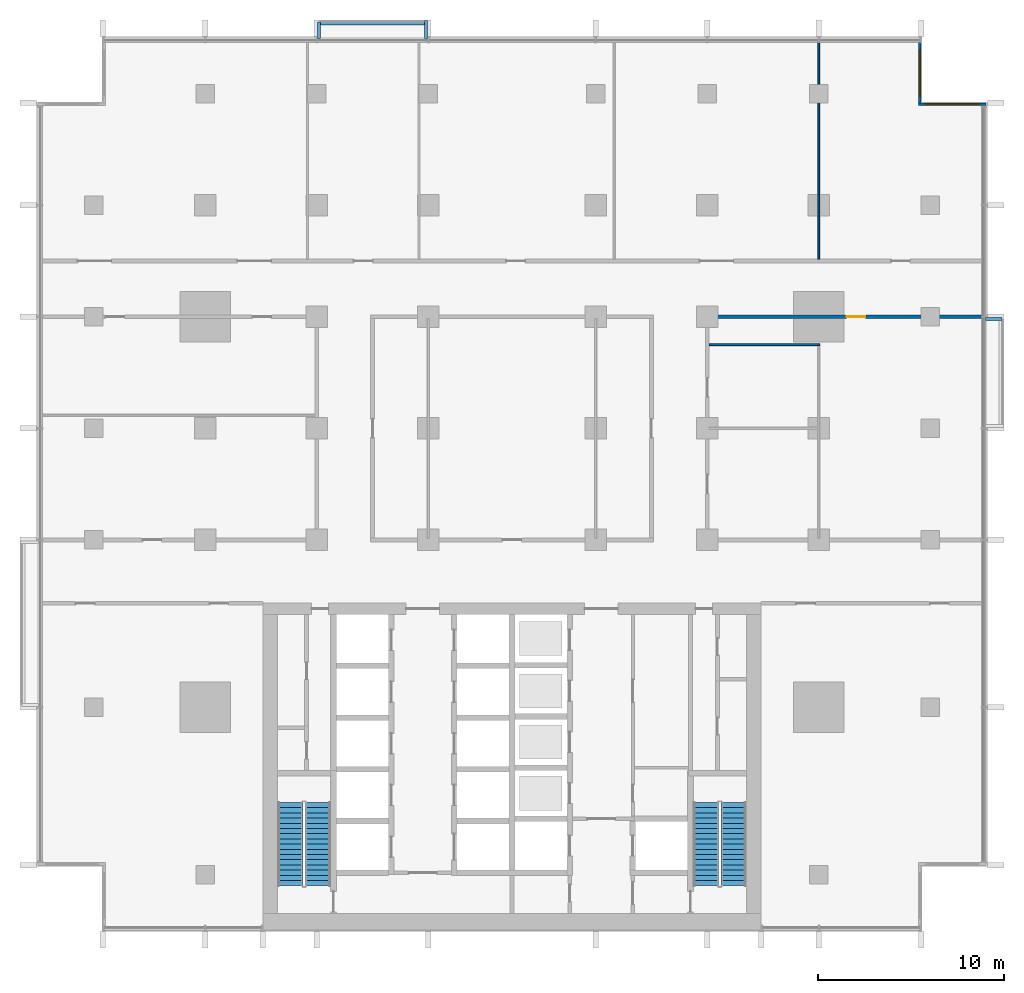
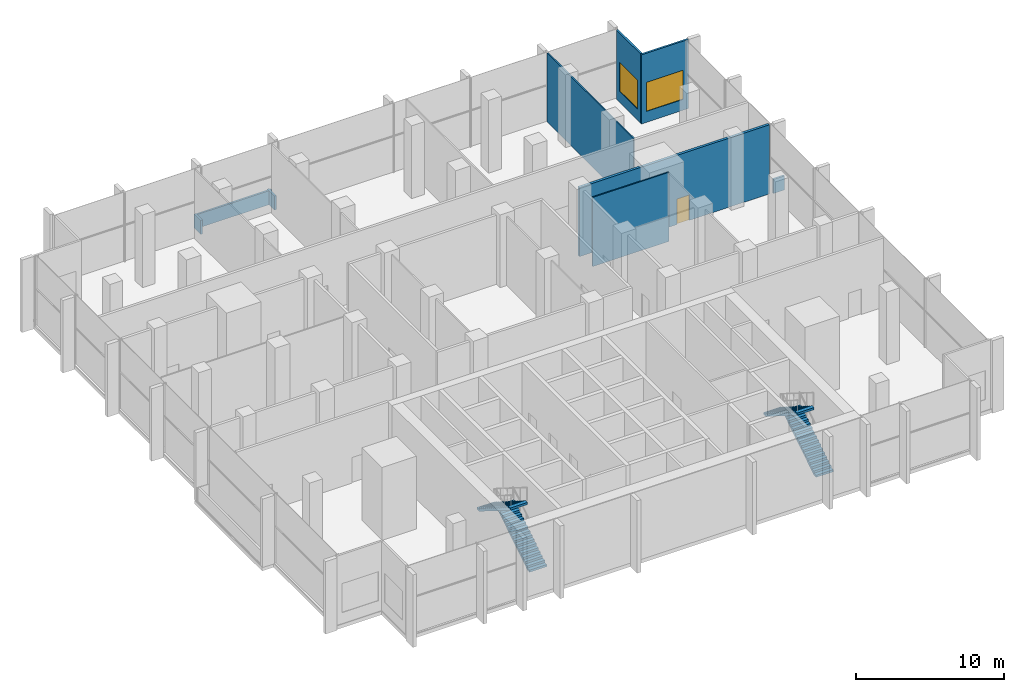
# One storey, part 10 of 16: 9 walls, 4 stair flights, 2 windows, 1 door, 3 openings, 2 elements without a shape of their own.
"""IFC4 building model written with IfcOpenShell, lengths in metres."""

from ifc_helpers import new_model, si_unit, direction, frame, frame_2d, origin, place, context, subcontext, project, spatial, polyline, rectangle, outline, extrude, material, layer, layer_set, type_object, element, fill, aggregate, save


model = new_model("IFC4")

# Units and contexts
model_context = context("Model", 3, precision=1e-05, world=origin(), true_north=direction((0.0, 1.0)))
body_context = subcontext(model_context, "Body", "Model", "MODEL_VIEW")
ifc_project = project(units=[si_unit("LENGTHUNIT", "METRE"), si_unit("AREAUNIT", "SQUARE_METRE"), si_unit("VOLUMEUNIT", "CUBIC_METRE"), si_unit("PLANEANGLEUNIT", "RADIAN"), si_unit("MASSUNIT", "GRAM", prefix="KILO")], contexts=[model_context])

# Site, building, storey
site_placement = place(None, origin())
site = spatial("IfcSite", under=ifc_project, at=site_placement, CompositionType="ELEMENT")
building_placement = place(site_placement, origin())
building = spatial("IfcBuilding", under=site, at=building_placement, Name="Finial Court Residences", CompositionType="ELEMENT")
storey_placement = place(building_placement, frame((0.0, 0.0, 127.89990234375)))
storey = spatial("IfcBuildingStorey", under=building, at=storey_placement, Name="L32", CompositionType="ELEMENT", Elevation=127.89990234375)

# Wall, opening, door
ifc_material_1 = material(Name="Gypsum board")
ifc_layer_1 = layer(ifc_material_1, 0.02490234375)
ifc_material_2 = material(Name="Acoustic mineral wool in double frame")
ifc_layer_2 = layer(ifc_material_2, 0.14990234375)
ifc_layer_3 = layer(ifc_material_1, 0.02490234375)
ifc_layer_set_1 = layer_set([ifc_layer_1, ifc_layer_2, ifc_layer_3], Name="Corridor wall 200, 1 hour")
wall_type_1 = type_object("IfcWallType", Name="Corridor wall 200, 1 hour", PredefinedType="PARTITIONING", material=ifc_layer_set_1)
wall_1_placement = place(storey_placement, frame((10.39990234375, 7.5, 0.0), z_axis=(0.0, 0.0, 1.0), x_axis=(1.0, 0.0, 0.0)))
wall_1 = element("IfcWall", 1, at=wall_1_placement, inside=storey, type_object=wall_type_1, Name="Partition L32-010", PredefinedType="PARTITIONING", context=body_context, shape_type="SweptSolid", body=[
    extrude(rectangle(XDim=14.837646484375, YDim=0.199951171875, at=frame_2d((7.4189453125, 0.0))), origin(), (0.0, 0.0, 1.0), 5.7001953125),
])
opening_1_placement = place(wall_1_placement, frame((7.60009765625, 0.0, 0.0)))
opening_1 = element("IfcOpeningElement", 2, at=opening_1_placement, cuts=wall_1, Name="Opening L32-D009", PredefinedType="OPENING", context=body_context, shape_type="SweptSolid", body=[
    extrude(rectangle(XDim=1.0, YDim=2.10009765625, at=frame_2d((0.5, 1.050048828125))), frame((0.0, 0.10986328125, 0.0), z_axis=(0.0, -1.0, 0.0), x_axis=(1.0, 0.0, 0.0)), (0.0, 0.0, 1.0), 0.219970703125),
])
ifc_material_3 = material(Name="Timber door leaf in hollow metal frame", Category="wood")
door_type = type_object("IfcDoorType", Name="Fire door set 1000 x 2100, 30 minutes", OperationType="SINGLE_SWING_LEFT", PredefinedType="DOOR", material=ifc_material_3)
door_placement = place(opening_1_placement, origin())
door = element("IfcDoor", 3, at=door_placement, inside=storey, type_object=door_type, Name="Door L32-D009", OperationType="SINGLE_SWING_RIGHT", OverallHeight=2.10009765625, OverallWidth=1.0, PredefinedType="DOOR", context=body_context, shape_type="SweptSolid", body=[
    extrude(rectangle(XDim=1.0, YDim=2.10009765625, at=frame_2d((0.5, 1.050048828125))), frame((0.0, 0.02490234375, 0.0), z_axis=(0.0, -1.0, 0.0), x_axis=(1.0, 0.0, 0.0)), (0.0, 0.0, 1.0), 0.050048828125),
])
fill(opening_1, door)

# Walls
ifc_layer_4 = layer(ifc_material_1, 0.012451171875)
ifc_material_4 = material(Name="Mineral wool in light-gauge frame")
ifc_layer_5 = layer(ifc_material_4, 0.074951171875)
ifc_layer_6 = layer(ifc_material_1, 0.012451171875)
ifc_layer_set_2 = layer_set([ifc_layer_4, ifc_layer_5, ifc_layer_6], Name="Gypsum board partition 100")
wall_type_2 = type_object("IfcWallType", Name="Gypsum board partition 100", PredefinedType="PARTITIONING", material=ifc_layer_set_2)
wall_2_placement = place(storey_placement, frame((10.60009765625, 6.0, 0.0), z_axis=(0.0, 0.0, 1.0), x_axis=(1.0, 0.0, 0.0)))
element("IfcWall", 4, at=wall_2_placement, inside=storey, type_object=wall_type_2, Name="Partition L32-007", PredefinedType="PARTITIONING", context=body_context, shape_type="SweptSolid", body=[
    extrude(rectangle(XDim=5.949951171875, YDim=0.10009765625, at=frame_2d((2.97509765625, 0.0))), origin(), (0.0, 0.0, 1.0), 5.7001953125),
])
wall_3_placement = place(storey_placement, frame((16.5, 10.60009765625, 0.0), z_axis=(0.0, 0.0, 1.0), x_axis=(0.0, 1.0, 0.0)))
element("IfcWall", 5, at=wall_3_placement, inside=storey, type_object=wall_type_2, Name="Partition L32-022", PredefinedType="PARTITIONING", context=body_context, shape_type="SweptSolid", body=[
    extrude(rectangle(XDim=11.637451171875, YDim=0.10009765625, at=frame_2d((5.81884765625, 0.0))), origin(), (0.0, 0.0, 1.0), 5.7001953125),
])
ifc_material_5 = material(Name="Concrete C35/45", Category="concrete")
ifc_layer_7 = layer(ifc_material_5, 0.14990234375)
ifc_layer_set_3 = layer_set([ifc_layer_7], Name="Ledge parapet, Concrete C35/45 150")
wall_type_3 = type_object("IfcWallType", Name="Ledge parapet, Concrete C35/45 150", PredefinedType="PARAPET", material=ifc_layer_set_3)
wall_4_placement = place(storey_placement, frame((-4.625, 23.4375, 0.0), z_axis=(0.0, 0.0, 1.0), x_axis=(0.0, -1.0, 0.0)))
element("IfcWall", 6, at=wall_4_placement, inside=storey, type_object=wall_type_3, Name="E-L32-LED1-P1", PredefinedType="PARAPET", context=body_context, shape_type="SweptSolid", body=[
    extrude(rectangle(XDim=0.965087890625, YDim=0.14990234375, at=frame_2d((0.482421875, 0.0))), origin(), (0.0, 0.0, 1.0), 1.150146484375),
])
wall_5_placement = place(storey_placement, frame((-10.375, 22.472412109375, 0.0), z_axis=(0.0, 0.0, 1.0), x_axis=(0.0, 1.0, 0.0)))
element("IfcWall", 7, at=wall_5_placement, inside=storey, type_object=wall_type_3, Name="E-L32-LED1-P2", PredefinedType="PARAPET", context=body_context, shape_type="SweptSolid", body=[
    extrude(rectangle(XDim=0.877685546875, YDim=0.14990234375, at=frame_2d((0.43896484375, 0.0))), origin(), (0.0, 0.0, 1.0), 1.150146484375),
])
wall_6_placement = place(storey_placement, frame((-10.300048828125, 23.27490234375, 0.0), z_axis=(0.0, 0.0, 1.0), x_axis=(1.0, 0.0, 0.0)))
element("IfcWall", 8, at=wall_6_placement, inside=storey, type_object=wall_type_3, Name="E-L32-LED1-P3", PredefinedType="PARAPET", context=body_context, shape_type="SweptSolid", body=[
    extrude(rectangle(XDim=5.837646484375, YDim=0.14990234375, at=frame_2d((2.9189453125, 0.0))), origin(), (0.0, 0.0, 1.0), 1.150146484375),
])
wall_7_placement = place(storey_placement, frame((25.472412109375, 7.375, 0.0), z_axis=(0.0, 0.0, 1.0), x_axis=(1.0, 0.0, 0.0)))
element("IfcWall", 9, at=wall_7_placement, inside=storey, type_object=wall_type_3, Name="E-L32-LED2-P2", PredefinedType="PARAPET", context=body_context, shape_type="SweptSolid", body=[
    extrude(rectangle(XDim=0.877685546875, YDim=0.14990234375, at=frame_2d((0.43896484375, 0.0))), origin(), (0.0, 0.0, 1.0), 1.150146484375),
])

# Wall, opening, window
ifc_material_6 = material(Name="Natural limestone", Category="masonry")
ifc_layer_8 = layer(ifc_material_6, 0.14990234375)
ifc_layer_set_4 = layer_set([ifc_layer_8], Name="Limestone clad wall 150")
wall_type_4 = type_object("IfcWallType", Name="Limestone clad wall 150", PredefinedType="SOLIDWALL", material=ifc_layer_set_4)
wall_8_placement = place(storey_placement, frame((21.925048828125, 22.237548828125, 0.0), z_axis=(0.0, 0.0, 1.0), x_axis=(0.0, -1.0, 0.0)))
wall_8 = element("IfcWall", 10, at=wall_8_placement, inside=storey, type_object=wall_type_4, Name="E-L32-NWE12", PredefinedType="SOLIDWALL", context=body_context, shape_type="SweptSolid", body=[
    extrude(rectangle(XDim=3.237548828125, YDim=0.14990234375, at=frame_2d((1.61865234375, 0.0))), origin(), (0.0, 0.0, 1.0), 5.7001953125),
])
opening_2_placement = place(wall_8_placement, frame((0.398681640625, 0.0, 0.89990234375)))
opening_2 = element("IfcOpeningElement", 11, at=opening_2_placement, cuts=wall_8, Name="Opening WE32-07", PredefinedType="OPENING", context=body_context, shape_type="SweptSolid", body=[
    extrude(rectangle(XDim=2.43994140625, YDim=2.39990234375, at=frame_2d((1.219970703125, 1.199951171875))), frame((0.0, 0.0849609375, 0.0), z_axis=(0.0, -1.0, 0.0), x_axis=(1.0, 0.0, 0.0)), (0.0, 0.0, 1.0), 0.169921875),
])
ifc_material_7 = material(Name="Clear low-e glass", Category="glass")
window_type_1 = type_object("IfcWindowType", Name="Corner window 2440 x 2400", PartitioningType="SINGLE_PANEL", PredefinedType="WINDOW", material=ifc_material_7)
window_1_placement = place(opening_2_placement, origin())
window_1 = element("IfcWindow", 12, at=window_1_placement, inside=storey, type_object=window_type_1, Name="E-L32-NWE12-W1", OverallHeight=2.39990234375, OverallWidth=2.43994140625, PartitioningType="SINGLE_PANEL", PredefinedType="WINDOW", context=body_context, shape_type="SweptSolid", body=[
    extrude(rectangle(XDim=2.43994140625, YDim=2.39990234375, at=frame_2d((1.219970703125, 1.199951171875))), frame((0.0, 0.030029296875, 0.0), z_axis=(0.0, -1.0, 0.0), x_axis=(1.0, 0.0, 0.0)), (0.0, 0.0, 1.0), 0.06005859375),
])
fill(opening_2, window_1)

wall_9_placement = place(storey_placement, frame((21.85009765625, 18.925048828125, 0.0), z_axis=(0.0, 0.0, 1.0), x_axis=(1.0, 0.0, 0.0)))
wall_9 = element("IfcWall", 13, at=wall_9_placement, inside=storey, type_object=wall_type_4, Name="E-L32-NWN13", PredefinedType="SOLIDWALL", context=body_context, shape_type="SweptSolid", body=[
    extrude(rectangle(XDim=3.64990234375, YDim=0.14990234375, at=frame_2d((1.824951171875, 0.0))), origin(), (0.0, 0.0, 1.0), 5.7001953125),
])
opening_3_placement = place(wall_9_placement, frame((0.39990234375, 0.0, 0.89990234375)))
opening_3 = element("IfcOpeningElement", 14, at=opening_3_placement, cuts=wall_9, Name="Opening WE32-08", PredefinedType="OPENING", context=body_context, shape_type="SweptSolid", body=[
    extrude(rectangle(XDim=2.85009765625, YDim=2.39990234375, at=frame_2d((1.425048828125, 1.199951171875))), frame((0.0, 0.0849609375, 0.0), z_axis=(0.0, -1.0, 0.0), x_axis=(1.0, 0.0, 0.0)), (0.0, 0.0, 1.0), 0.169921875),
])
window_type_2 = type_object("IfcWindowType", Name="Corner window 2850 x 2400", PartitioningType="SINGLE_PANEL", PredefinedType="WINDOW", material=ifc_material_7)
window_2_placement = place(opening_3_placement, origin())
window_2 = element("IfcWindow", 15, at=window_2_placement, inside=storey, type_object=window_type_2, Name="E-L32-NWN13-W1", OverallHeight=2.39990234375, OverallWidth=2.85009765625, PartitioningType="SINGLE_PANEL", PredefinedType="WINDOW", context=body_context, shape_type="SweptSolid", body=[
    extrude(rectangle(XDim=2.85009765625, YDim=2.39990234375, at=frame_2d((1.425048828125, 1.199951171875))), frame((0.0, 0.030029296875, 0.0), z_axis=(0.0, -1.0, 0.0), x_axis=(1.0, 0.0, 0.0)), (0.0, 0.0, 1.0), 0.06005859375),
])
fill(opening_3, window_2)

# Stair, stair flights
ifc_material_8 = material(Name="Concrete C50/60", Category="concrete")
stair_type = type_object("IfcStairType", Name="Exit stair 34 risers of 176.5 mm", PredefinedType="HALF_TURN_STAIR", material=ifc_material_8)
stair_1_placement = place(storey_placement, origin())
stair_1 = element("IfcStair", 16, at=stair_1_placement, inside=storey, type_object=stair_type, Name="L32 Exit stair ST-1", PredefinedType="HALF_TURN_STAIR")
stair_flight_type = type_object("IfcStairFlightType", Name="Exit stair flight", PredefinedType="STRAIGHT", material=ifc_material_8)
stair_flight_1_placement = place(storey_placement, frame((-10.425048828125, -23.10009765625, 0.0), z_axis=(0.0, 0.0, 1.0), x_axis=(0.0, 1.0, 0.0)))
stair_flight_1 = element("IfcStairFlight", 17, at=stair_flight_1_placement, type_object=stair_flight_type, Name="ST-1 flight 1", NumberOfRisers=17, NumberOfTreads=16, PredefinedType="STRAIGHT", RiserHeight=0.176470588, TreadLength=0.28, context=body_context, shape_type="SweptSolid", body=[
    extrude(outline(polyline([(0.0, 0.0), (0.0, 0.176513671875), (0.280029296875, 0.176513671875), (0.280029296875, 0.35302734375), (0.56005859375, 0.35302734375), (0.56005859375, 0.529296875), (0.840087890625, 0.529296875), (0.840087890625, 0.705810546875), (1.1201171875, 0.705810546875), (1.1201171875, 0.88232421875), (1.39990234375, 0.88232421875), (1.39990234375, 1.058837890625), (1.679931640625, 1.058837890625), (1.679931640625, 1.2353515625), (1.9599609375, 1.2353515625), (1.9599609375, 1.411865234375), (2.239990234375, 1.411865234375), (2.239990234375, 1.588134765625), (2.52001953125, 1.588134765625), (2.52001953125, 1.7646484375), (2.800048828125, 1.7646484375), (2.800048828125, 1.941162109375), (3.080078125, 1.941162109375), (3.080078125, 2.11767578125), (3.360107421875, 2.11767578125), (3.360107421875, 2.294189453125), (3.639892578125, 2.294189453125), (3.639892578125, 2.470703125), (3.919921875, 2.470703125), (3.919921875, 2.64697265625), (4.199951171875, 2.64697265625), (4.199951171875, 2.823486328125), (4.47998046875, 2.823486328125), (4.47998046875, 3.0), (4.47998046875, 2.646240234375), (0.28125, 0.0), (0.0, 0.0)])), frame((0.0, 0.675048828125, 0.0), z_axis=(0.0, -1.0, 0.0), x_axis=(1.0, 0.0, 0.0)), (0.0, 0.0, 1.0), 1.35009765625),
])
stair_flight_2_placement = place(storey_placement, frame((-11.925048828125, -18.6201171875, 3.0), z_axis=(0.0, 0.0, 1.0), x_axis=(0.0, -1.0, 0.0)))
stair_flight_2 = element("IfcStairFlight", 18, at=stair_flight_2_placement, type_object=stair_flight_type, Name="ST-1 flight 2", NumberOfRisers=17, NumberOfTreads=16, PredefinedType="STRAIGHT", RiserHeight=0.176470588, TreadLength=0.28, context=body_context, shape_type="SweptSolid", body=[
    extrude(outline(polyline([(0.0, 0.0), (0.0, 0.176513671875), (0.280029296875, 0.176513671875), (0.280029296875, 0.35302734375), (0.56005859375, 0.35302734375), (0.56005859375, 0.529296875), (0.840087890625, 0.529296875), (0.840087890625, 0.705810546875), (1.1201171875, 0.705810546875), (1.1201171875, 0.88232421875), (1.39990234375, 0.88232421875), (1.39990234375, 1.058837890625), (1.679931640625, 1.058837890625), (1.679931640625, 1.2353515625), (1.9599609375, 1.2353515625), (1.9599609375, 1.411865234375), (2.239990234375, 1.411865234375), (2.239990234375, 1.588134765625), (2.52001953125, 1.588134765625), (2.52001953125, 1.7646484375), (2.800048828125, 1.7646484375), (2.800048828125, 1.941162109375), (3.080078125, 1.941162109375), (3.080078125, 2.11767578125), (3.360107421875, 2.11767578125), (3.360107421875, 2.294189453125), (3.639892578125, 2.294189453125), (3.639892578125, 2.470703125), (3.919921875, 2.470703125), (3.919921875, 2.64697265625), (4.199951171875, 2.64697265625), (4.199951171875, 2.823486328125), (4.47998046875, 2.823486328125), (4.47998046875, 3.0), (4.47998046875, 2.646240234375), (0.28125, 0.0), (0.0, 0.0)])), frame((0.0, 0.675048828125, 0.0), z_axis=(0.0, -1.0, 0.0), x_axis=(1.0, 0.0, 0.0)), (0.0, 0.0, 1.0), 1.35009765625),
])
aggregate(stair_1, [stair_flight_1, stair_flight_2])

stair_2_placement = place(storey_placement, origin())
stair_2 = element("IfcStair", 19, at=stair_2_placement, inside=storey, type_object=stair_type, Name="L32 Exit stair ST-2", PredefinedType="HALF_TURN_STAIR")
stair_flight_3_placement = place(storey_placement, frame((11.925048828125, -23.10009765625, 0.0), z_axis=(0.0, 0.0, 1.0), x_axis=(0.0, 1.0, 0.0)))
stair_flight_3 = element("IfcStairFlight", 20, at=stair_flight_3_placement, type_object=stair_flight_type, Name="ST-2 flight 1", NumberOfRisers=17, NumberOfTreads=16, PredefinedType="STRAIGHT", RiserHeight=0.176470588, TreadLength=0.28, context=body_context, shape_type="SweptSolid", body=[
    extrude(outline(polyline([(0.0, 0.0), (0.0, 0.176513671875), (0.280029296875, 0.176513671875), (0.280029296875, 0.35302734375), (0.56005859375, 0.35302734375), (0.56005859375, 0.529296875), (0.840087890625, 0.529296875), (0.840087890625, 0.705810546875), (1.1201171875, 0.705810546875), (1.1201171875, 0.88232421875), (1.39990234375, 0.88232421875), (1.39990234375, 1.058837890625), (1.679931640625, 1.058837890625), (1.679931640625, 1.2353515625), (1.9599609375, 1.2353515625), (1.9599609375, 1.411865234375), (2.239990234375, 1.411865234375), (2.239990234375, 1.588134765625), (2.52001953125, 1.588134765625), (2.52001953125, 1.7646484375), (2.800048828125, 1.7646484375), (2.800048828125, 1.941162109375), (3.080078125, 1.941162109375), (3.080078125, 2.11767578125), (3.360107421875, 2.11767578125), (3.360107421875, 2.294189453125), (3.639892578125, 2.294189453125), (3.639892578125, 2.470703125), (3.919921875, 2.470703125), (3.919921875, 2.64697265625), (4.199951171875, 2.64697265625), (4.199951171875, 2.823486328125), (4.47998046875, 2.823486328125), (4.47998046875, 3.0), (4.47998046875, 2.646240234375), (0.28125, 0.0), (0.0, 0.0)])), frame((0.0, 0.675048828125, 0.0), z_axis=(0.0, -1.0, 0.0), x_axis=(1.0, 0.0, 0.0)), (0.0, 0.0, 1.0), 1.35009765625),
])
stair_flight_4_placement = place(storey_placement, frame((10.425048828125, -18.6201171875, 3.0), z_axis=(0.0, 0.0, 1.0), x_axis=(0.0, -1.0, 0.0)))
stair_flight_4 = element("IfcStairFlight", 21, at=stair_flight_4_placement, type_object=stair_flight_type, Name="ST-2 flight 2", NumberOfRisers=17, NumberOfTreads=16, PredefinedType="STRAIGHT", RiserHeight=0.176470588, TreadLength=0.28, context=body_context, shape_type="SweptSolid", body=[
    extrude(outline(polyline([(0.0, 0.0), (0.0, 0.176513671875), (0.280029296875, 0.176513671875), (0.280029296875, 0.35302734375), (0.56005859375, 0.35302734375), (0.56005859375, 0.529296875), (0.840087890625, 0.529296875), (0.840087890625, 0.705810546875), (1.1201171875, 0.705810546875), (1.1201171875, 0.88232421875), (1.39990234375, 0.88232421875), (1.39990234375, 1.058837890625), (1.679931640625, 1.058837890625), (1.679931640625, 1.2353515625), (1.9599609375, 1.2353515625), (1.9599609375, 1.411865234375), (2.239990234375, 1.411865234375), (2.239990234375, 1.588134765625), (2.52001953125, 1.588134765625), (2.52001953125, 1.7646484375), (2.800048828125, 1.7646484375), (2.800048828125, 1.941162109375), (3.080078125, 1.941162109375), (3.080078125, 2.11767578125), (3.360107421875, 2.11767578125), (3.360107421875, 2.294189453125), (3.639892578125, 2.294189453125), (3.639892578125, 2.470703125), (3.919921875, 2.470703125), (3.919921875, 2.64697265625), (4.199951171875, 2.64697265625), (4.199951171875, 2.823486328125), (4.47998046875, 2.823486328125), (4.47998046875, 3.0), (4.47998046875, 2.646240234375), (0.28125, 0.0), (0.0, 0.0)])), frame((0.0, 0.675048828125, 0.0), z_axis=(0.0, -1.0, 0.0), x_axis=(1.0, 0.0, 0.0)), (0.0, 0.0, 1.0), 1.35009765625),
])
aggregate(stair_2, [stair_flight_3, stair_flight_4])

save(model, "model.ifc")
